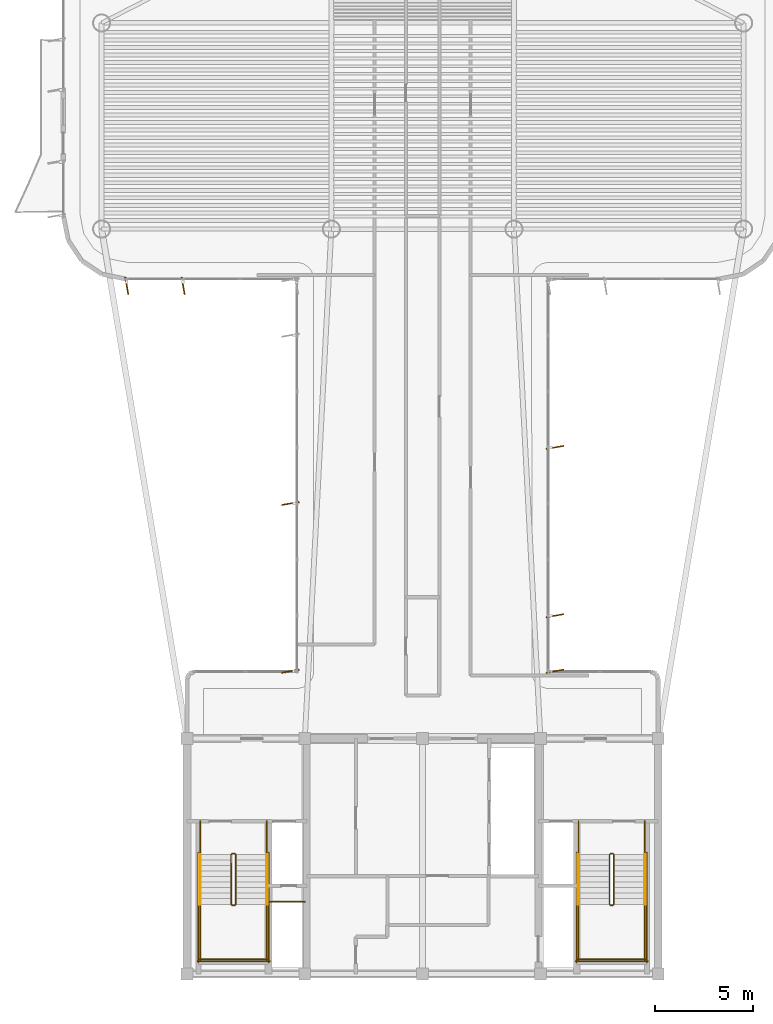
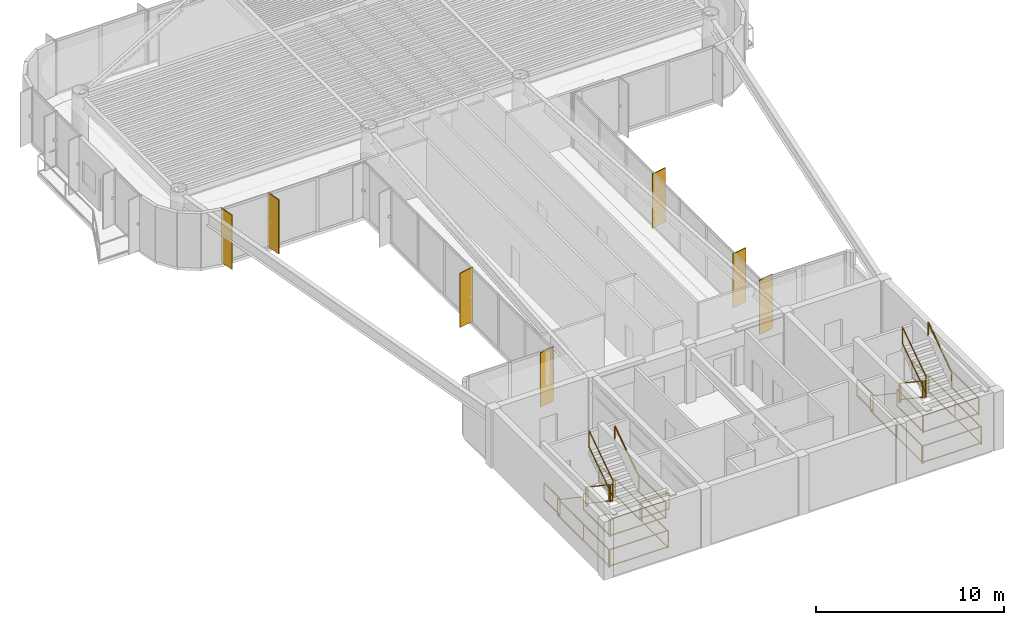
# One storey, part 13 of 14: 29 railings, 7 shading devices.
"""IFC4 building model written with IfcOpenShell, lengths in metres."""

import ifcopenshell
import ifcopenshell.guid

model = None  # the IFC model being written
_history = None  # IfcOwnerHistory: only IFC2X3 demands one
_inside = {}  # id of a spatial element -> (the spatial element, [elements in it])
_under = {}  # id of a project, library or spatial element -> (it, [spatial elements below it])
_declared = {}  # id of a project -> (the project, [libraries it declares])
_typed = {}  # id of a type object -> (the type object, [elements of that type])
_made_of = {}  # id of a material, layer set ... -> (it, [elements and type objects made of it])


def new_model(schema):
    """Start an empty IFC model of exactly this schema.

    Asked for "IFC4X3", IfcOpenShell would pick the latest addendum, in which some entities
    have other attributes; the version numbers below select the first issue.
    IFC2X3 requires an IfcOwnerHistory on every rooted entity: one is made here for all.
    """
    global model, _history
    if schema == "IFC4X3":
        model = ifcopenshell.file(schema_version=(4, 3, 0, 0))
    else:
        model = ifcopenshell.file(schema=schema)
    _inside.clear()
    _under.clear()
    _declared.clear()
    _typed.clear()
    _made_of.clear()
    _history = None
    if model.schema == "IFC2X3":
        org = make("IfcOrganization", Name="unknown")
        user = make(
            "IfcPersonAndOrganization",
            ThePerson=make("IfcPerson", FamilyName="unknown"),
            TheOrganization=org,
        )
        app = make(
            "IfcApplication",
            ApplicationDeveloper=org,
            Version="unknown",
            ApplicationFullName="unknown",
            ApplicationIdentifier="unknown",
        )
        _history = make(
            "IfcOwnerHistory",
            OwningUser=user,
            OwningApplication=app,
            ChangeAction="ADDED",
            CreationDate=0,
        )
    return model


def make(cls, **values):
    """One entity of the class cls with the attributes given. An attribute that is None is left unset."""
    return model.create_entity(
        cls, **{name: value for name, value in values.items() if value is not None}
    )


def rooted(cls, **values):
    """An entity with a GlobalId (a new one), such as an element, a storey or a relation."""
    return make(cls, GlobalId=ifcopenshell.guid.new(), OwnerHistory=_history, **values)


def si_unit(unit_type, name, prefix=None):
    """IfcSIUnit, for example si_unit("LENGTHUNIT", "METRE", prefix="MILLI")."""
    return make("IfcSIUnit", UnitType=unit_type, Prefix=prefix, Name=name)


def assignment(units):
    """IfcUnitAssignment: the units of a project."""
    return None if units is None else make("IfcUnitAssignment", Units=units)


def point(xyz):
    """IfcCartesianPoint."""
    return None if xyz is None else make("IfcCartesianPoint", Coordinates=xyz)


def direction(xyz):
    """IfcDirection."""
    return None if xyz is None else make("IfcDirection", DirectionRatios=xyz)


def frame(location, z_axis=None, x_axis=None):
    """IfcAxis2Placement3D, a coordinate frame: its origin and axes. An axis left out is left unset."""
    return make(
        "IfcAxis2Placement3D",
        Location=point(location),
        Axis=direction(z_axis),
        RefDirection=direction(x_axis),
    )


def frame_2d(location, x_axis=None):
    """IfcAxis2Placement2D, a coordinate frame in the plane: its origin and x axis."""
    return make(
        "IfcAxis2Placement2D", Location=point(location), RefDirection=direction(x_axis)
    )


def origin():
    """The frame at (0, 0, 0) with its axes left unset."""
    return frame((0.0, 0.0, 0.0))


def origin_2d():
    """The frame at (0, 0) in the plane with its x axis left unset."""
    return frame_2d((0.0, 0.0))


def place(relative_to, where):
    """IfcLocalPlacement: puts the frame where relative to a parent placement (None: the world)."""
    return make(
        "IfcLocalPlacement", PlacementRelTo=relative_to, RelativePlacement=where
    )


def context(
    kind, dimensions, precision=None, world=None, true_north=None, identifier=None
):
    """IfcGeometricRepresentationContext, for example the 3D "Model" context."""
    return make(
        "IfcGeometricRepresentationContext",
        ContextIdentifier=identifier,
        ContextType=kind,
        CoordinateSpaceDimension=dimensions,
        Precision=precision,
        WorldCoordinateSystem=world,
        TrueNorth=true_north,
    )


def subcontext(parent, identifier, kind, view, scale=None):
    """IfcGeometricRepresentationSubContext, for example "Body" below "Model"."""
    return make(
        "IfcGeometricRepresentationSubContext",
        ContextIdentifier=identifier,
        ContextType=kind,
        ParentContext=parent,
        TargetScale=scale,
        TargetView=view,
    )


def project(units=None, contexts=None):
    """IfcProject with its units and contexts."""
    return rooted(
        "IfcProject",
        Name="project",
        RepresentationContexts=contexts,
        UnitsInContext=assignment(units),
    )


def spatial(cls, under=None, at=None, **own):
    """A site, building, storey or space (cls), placed at a placement, below another one or the project."""
    s = rooted(cls, ObjectPlacement=at, **own)
    if under is not None:
        _under.setdefault(under.id(), (under, []))[1].append(s)
    return s


def profile(cls, at=None, kind="AREA", **sizes):
    """A parametric profile (cls). Its sizes go by their IFC names, for example OverallWidth=200.0."""
    return make(cls, ProfileType=kind, Position=at, **sizes)


def rectangle(**sizes):
    """IfcRectangleProfileDef."""
    return profile("IfcRectangleProfileDef", **sizes)


def extrude(swept, where, along, depth):
    """IfcExtrudedAreaSolid: the profile swept, set in the frame where, extruded along a direction by depth."""
    return make(
        "IfcExtrudedAreaSolid",
        SweptArea=swept,
        Position=where,
        ExtrudedDirection=direction(along),
        Depth=depth,
    )


def shape(context_of_items, identifier, shape_type, items):
    """IfcShapeRepresentation: the items that make up one representation, for example the "Body"."""
    return make(
        "IfcShapeRepresentation",
        ContextOfItems=context_of_items,
        RepresentationIdentifier=identifier,
        RepresentationType=shape_type,
        Items=items,
    )


def source(mapping_origin, context_of_items, identifier, shape_type, items):
    """IfcRepresentationMap: a shape defined once, which mapped items show again and again."""
    return make(
        "IfcRepresentationMap",
        MappingOrigin=mapping_origin,
        MappedRepresentation=shape(context_of_items, identifier, shape_type, items),
    )


def transform(
    local_origin,
    x_axis=None,
    y_axis=None,
    z_axis=None,
    scale=None,
    scale2=None,
    scale3=None,
    uniform=True,
):
    """IfcCartesianTransformationOperator3D, or its non-uniform kind. x_axis, y_axis, z_axis: its Axis1, 2, 3."""
    if uniform:
        return make(
            "IfcCartesianTransformationOperator3D",
            Axis1=direction(x_axis),
            Axis2=direction(y_axis),
            LocalOrigin=point(local_origin),
            Scale=scale,
            Axis3=direction(z_axis),
        )
    return make(
        "IfcCartesianTransformationOperator3DnonUniform",
        Axis1=direction(x_axis),
        Axis2=direction(y_axis),
        LocalOrigin=point(local_origin),
        Scale=scale,
        Axis3=direction(z_axis),
        Scale2=scale2,
        Scale3=scale3,
    )


def mapped(mapping_source, mapping_target):
    """IfcMappedItem: shows the shape of a source again, moved by a transform."""
    return make(
        "IfcMappedItem", MappingSource=mapping_source, MappingTarget=mapping_target
    )


def material(Name=None, Category=None):
    """IfcMaterial."""
    return make("IfcMaterial", Name=Name, Category=Category)


def layer(
    of_material, thickness, ventilated=None, Name=None, Category=None, Priority=None
):
    """IfcMaterialLayer: one layer of a wall or slab, of a material (None: an air gap)."""
    return make(
        "IfcMaterialLayer",
        Material=of_material,
        LayerThickness=thickness,
        IsVentilated=ventilated,
        Name=Name,
        Category=Category,
        Priority=Priority,
    )


def layer_set(layers, Name=None):
    """IfcMaterialLayerSet."""
    return make("IfcMaterialLayerSet", MaterialLayers=layers, LayerSetName=Name)


def material_profile(
    of_material, cross_section, Name=None, Category=None, Priority=None
):
    """IfcMaterialProfile: a cross section and its material."""
    return make(
        "IfcMaterialProfile",
        Name=Name,
        Material=of_material,
        Profile=cross_section,
        Priority=Priority,
        Category=Category,
    )


def profile_set(profiles, Name=None, composite=None):
    """IfcMaterialProfileSet."""
    return make(
        "IfcMaterialProfileSet",
        Name=Name,
        MaterialProfiles=profiles,
        CompositeProfile=composite,
    )


def made_of(thing, what):
    """Note that an element or type object is made of a material, layer set ...; save() writes the relation."""
    if what is not None:
        _made_of.setdefault(what.id(), (what, []))[1].append(thing)
    return thing


def type_object(cls, material=None, **own):
    """A type object (cls), such as IfcWallType, which elements share."""
    return made_of(rooted(cls, **own), material)


def element(
    cls,
    number,
    at=None,
    inside=None,
    cuts=None,
    type_object=None,
    material=None,
    context=None,
    identifier="Body",
    shape_type=None,
    held_by="IfcProductDefinitionShape",
    body=None,
    shapes=None,
    **own,
):
    """One element of the class cls, such as IfcWall. Its Tag is "e" and its number.

    at: its placement. inside: the storey or other place that contains it. cuts: it is an
    opening in that element (IfcRelVoidsElement). A single representation is given by context,
    identifier, shape_type and body (its items); several are given by shapes. held_by: the class
    of the entity that holds the representations. save() writes the other relations.
    """
    e = rooted(cls, Tag="e%d" % number, ObjectPlacement=at, **own)
    if body is not None:
        shapes = [shape(context, identifier, shape_type, body)]
    if shapes is not None:
        e.Representation = make(held_by, Representations=shapes)
    if inside is not None:
        _inside.setdefault(inside.id(), (inside, []))[1].append(e)
    if cuts is not None:
        rooted(
            "IfcRelVoidsElement", RelatingBuildingElement=cuts, RelatedOpeningElement=e
        )
    if type_object is not None:
        _typed.setdefault(type_object.id(), (type_object, []))[1].append(e)
    return made_of(e, material)


def aggregate(whole, parts):
    """IfcRelAggregates: a whole, such as a stair, and the parts it consists of."""
    return rooted("IfcRelAggregates", RelatingObject=whole, RelatedObjects=parts)


def save(model, path):
    """Write the relations noted so far, then the file.

    IfcRelAggregates (storeys below a building ...), IfcRelContainedInSpatialStructure (elements
    in a storey), IfcRelDefinesByType, IfcRelAssociatesMaterial and IfcRelDeclares: one each for
    every whole, place, type object, material and project.
    """
    for whole, parts in _under.values():
        aggregate(whole, parts)
    for where, things in _inside.values():
        rooted(
            "IfcRelContainedInSpatialStructure",
            RelatedElements=things,
            RelatingStructure=where,
        )
    for kind, things in _typed.values():
        rooted("IfcRelDefinesByType", RelatedObjects=things, RelatingType=kind)
    for what, things in _made_of.values():
        rooted("IfcRelAssociatesMaterial", RelatedObjects=things, RelatingMaterial=what)
    for by, libraries in _declared.values():
        rooted("IfcRelDeclares", RelatingContext=by, RelatedDefinitions=libraries)
    model.write(path)


model = new_model("IFC4")

# Units and contexts
model_context = context("Model", 3, precision=1e-05, world=origin(), true_north=direction((0.0, 1.0)))
body_context = subcontext(model_context, "Body", "Model", "MODEL_VIEW")
ifc_project = project(units=[si_unit("LENGTHUNIT", "METRE"), si_unit("AREAUNIT", "SQUARE_METRE"), si_unit("VOLUMEUNIT", "CUBIC_METRE"), si_unit("PLANEANGLEUNIT", "RADIAN"), si_unit("MASSUNIT", "GRAM", prefix="KILO")], contexts=[model_context])

# Site, building, storey
site_placement = place(None, origin())
site = spatial("IfcSite", under=ifc_project, at=site_placement, CompositionType="ELEMENT")
building_placement = place(site_placement, origin())
building = spatial("IfcBuilding", under=site, at=building_placement, Name="Brelvock Crest Care Tower", CompositionType="ELEMENT")
storey_placement = place(building_placement, frame((0.0, 0.0, 253.260009765625)))
storey = spatial("IfcBuildingStorey", under=building, at=storey_placement, Name="L64", CompositionType="ELEMENT", Elevation=253.260009765625)

# Railings
ifc_material_1 = material(Name="Steel Grade 350", Category="steel")
ifc_layer_1 = layer(ifc_material_1, 0.050048828125, Name="RL-STG1")
ifc_layer_set_1 = layer_set([ifc_layer_1], Name="Steel Grade 350")
railing_type_1 = type_object("IfcRailingType", Name="RL-STG1", PredefinedType="GUARDRAIL", material=ifc_layer_set_1)
railing_1_placement = place(storey_placement, frame((26.260009765625, 12.080078125, 0.18896484375)))
element("IfcRailing", 1, at=railing_1_placement, inside=storey, type_object=railing_type_1, Name="L64 ST-1 stair guard 1", PredefinedType="GUARDRAIL", context=body_context, shape_type="SweptSolid", body=[
    extrude(rectangle(XDim=0.048095703125, YDim=0.048095703125, at=origin_2d()), frame((0.0, -0.001708984375, 1.116943359375), z_axis=(0.0, -0.828861706735, 0.559453546873), x_axis=(1.0, 0.0, 0.0)), (0.0, 0.0, 1.0), 3.036376953125),
    extrude(rectangle(XDim=0.048095703125, YDim=0.048095703125, at=origin_2d()), frame((0.0, -0.001708984375, 0.05615234375), z_axis=(0.0, -0.828861706735, 0.559453546873), x_axis=(1.0, 0.0, 0.0)), (0.0, 0.0, 1.0), 3.036376953125),
    extrude(rectangle(XDim=0.0419921875, YDim=0.0419921875, at=origin_2d()), origin(), (0.0, 0.0, 1.0), 1.08984375),
    extrude(rectangle(XDim=0.0419921875, YDim=0.0419921875, at=origin_2d()), frame((0.0, -2.52001953125, 1.700927734375)), (0.0, 0.0, 1.0), 1.08984375),
])
railing_2_placement = place(storey_placement, frame((26.31005859375, 9.510009765625, 1.889892578125)))
element("IfcRailing", 2, at=railing_2_placement, inside=storey, type_object=railing_type_1, Name="L64 ST-1 stair guard 2", PredefinedType="GUARDRAIL", context=body_context, shape_type="SweptSolid", body=[
    extrude(rectangle(XDim=0.048095703125, YDim=0.048095703125, at=origin_2d()), frame((0.001953125, 0.0, 1.11572265625), z_axis=(1.0, 0.0, 0.0), x_axis=(0.0, 1.0, 0.0)), (0.0, 0.0, 1.0), 0.115966796875),
    extrude(rectangle(XDim=0.048095703125, YDim=0.048095703125, at=origin_2d()), frame((0.001953125, 0.0, 0.054931640625), z_axis=(1.0, 0.0, 0.0), x_axis=(0.0, 1.0, 0.0)), (0.0, 0.0, 1.0), 0.115966796875),
    extrude(rectangle(XDim=0.0419921875, YDim=0.0419921875, at=origin_2d()), origin(), (0.0, 0.0, 1.0), 1.08984375),
    extrude(rectangle(XDim=0.0419921875, YDim=0.0419921875, at=origin_2d()), frame((0.119873046875, 0.0, 0.0)), (0.0, 0.0, 1.0), 1.08984375),
])
for number, where, name in (
    (3, (24.679931640625, 9.56005859375, 1.889892578125), "L64 ST-1 stair guard 3"),
    (4, (28.06005859375, 9.56005859375, 1.889892578125), "L64 ST-1 stair guard 4"),
):
    element("IfcRailing", number, at=place(storey_placement, frame(where)), inside=storey, type_object=railing_type_1, Name=name, PredefinedType="GUARDRAIL", context=body_context, shape_type="SweptSolid", body=[
        extrude(rectangle(XDim=0.048095703125, YDim=0.048095703125, at=origin_2d()), frame((0.0, -0.001953125, 1.11572265625), z_axis=(0.0, -1.0, 0.0), x_axis=(1.0, 0.0, 0.0)), (0.0, 0.0, 1.0), 2.856201171875),
        extrude(rectangle(XDim=0.048095703125, YDim=0.048095703125, at=origin_2d()), frame((0.0, -0.001953125, 0.054931640625), z_axis=(0.0, -1.0, 0.0), x_axis=(1.0, 0.0, 0.0)), (0.0, 0.0, 1.0), 2.856201171875),
        extrude(rectangle(XDim=0.0419921875, YDim=0.0419921875, at=origin_2d()), origin(), (0.0, 0.0, 1.0), 1.08984375),
        extrude(rectangle(XDim=0.0419921875, YDim=0.0419921875, at=origin_2d()), frame((0.0, -2.860107421875, 0.0)), (0.0, 0.0, 1.0), 1.08984375),
    ])
railing_3_placement = place(storey_placement, frame((24.6298828125, 6.75, 1.889892578125)))
element("IfcRailing", 5, at=railing_3_placement, inside=storey, type_object=railing_type_1, Name="L64 ST-1 stair guard 5", PredefinedType="GUARDRAIL", context=body_context, shape_type="SweptSolid", body=[
    extrude(rectangle(XDim=0.048095703125, YDim=0.048095703125, at=origin_2d()), frame((0.001953125, 0.0, 1.11572265625), z_axis=(1.0, 0.0, 0.0), x_axis=(0.0, 1.0, 0.0)), (0.0, 0.0, 1.0), 3.476318359375),
    extrude(rectangle(XDim=0.048095703125, YDim=0.048095703125, at=origin_2d()), frame((0.001953125, 0.0, 0.054931640625), z_axis=(1.0, 0.0, 0.0), x_axis=(0.0, 1.0, 0.0)), (0.0, 0.0, 1.0), 3.476318359375),
    extrude(rectangle(XDim=0.0419921875, YDim=0.0419921875, at=origin_2d()), origin(), (0.0, 0.0, 1.0), 1.08984375),
    extrude(rectangle(XDim=0.0419921875, YDim=0.0419921875, at=origin_2d()), frame((3.480224609375, 0.0, 0.0)), (0.0, 0.0, 1.0), 1.08984375),
])
railing_4_placement = place(storey_placement, frame((26.47998046875, 9.56005859375, 2.0791015625)))
element("IfcRailing", 6, at=railing_4_placement, inside=storey, type_object=railing_type_1, Name="L64 ST-1 stair guard 6", PredefinedType="GUARDRAIL", context=body_context, shape_type="SweptSolid", body=[
    extrude(rectangle(XDim=0.048095703125, YDim=0.048095703125, at=origin_2d()), frame((0.0, 0.001708984375, 1.116943359375), z_axis=(0.0, 0.828861706735, 0.559453546873), x_axis=(-1.0, 0.0, 0.0)), (0.0, 0.0, 1.0), 3.036376953125),
    extrude(rectangle(XDim=0.048095703125, YDim=0.048095703125, at=origin_2d()), frame((0.0, 0.001708984375, 0.05615234375), z_axis=(0.0, 0.828861706735, 0.559453546873), x_axis=(-1.0, 0.0, 0.0)), (0.0, 0.0, 1.0), 3.036376953125),
    extrude(rectangle(XDim=0.0419921875, YDim=0.0419921875, at=origin_2d()), origin(), (0.0, 0.0, 1.0), 1.08984375),
    extrude(rectangle(XDim=0.0419921875, YDim=0.0419921875, at=origin_2d()), frame((0.0, 2.52001953125, 1.700927734375)), (0.0, 0.0, 1.0), 1.08984375),
])
railing_5_placement = place(storey_placement, frame((26.31005859375, 12.1298828125, 0.0)))
element("IfcRailing", 7, at=railing_5_placement, inside=storey, type_object=railing_type_1, Name="L64 ST-1 stair guard 7", PredefinedType="GUARDRAIL", context=body_context, shape_type="SweptSolid", body=[
    extrude(rectangle(XDim=0.048095703125, YDim=0.048095703125, at=origin_2d()), frame((0.001953125, 0.0, 1.11572265625), z_axis=(1.0, 0.0, 0.0), x_axis=(0.0, 1.0, 0.0)), (0.0, 0.0, 1.0), 0.115966796875),
    extrude(rectangle(XDim=0.048095703125, YDim=0.048095703125, at=origin_2d()), frame((0.001953125, 0.0, 0.054931640625), z_axis=(1.0, 0.0, 0.0), x_axis=(0.0, 1.0, 0.0)), (0.0, 0.0, 1.0), 0.115966796875),
    extrude(rectangle(XDim=0.0419921875, YDim=0.0419921875, at=origin_2d()), origin(), (0.0, 0.0, 1.0), 1.08984375),
    extrude(rectangle(XDim=0.0419921875, YDim=0.0419921875, at=origin_2d()), frame((0.119873046875, 0.0, 0.0)), (0.0, 0.0, 1.0), 1.08984375),
])
for number, where, name in (
    (8, (24.679931640625, 13.780029296875, 0.0), "L64 ST-1 stair guard 8"),
    (9, (28.06005859375, 13.780029296875, 0.0), "L64 ST-1 stair guard 9"),
):
    element("IfcRailing", number, at=place(storey_placement, frame(where)), inside=storey, type_object=railing_type_1, Name=name, PredefinedType="GUARDRAIL", context=body_context, shape_type="SweptSolid", body=[
        extrude(rectangle(XDim=0.048095703125, YDim=0.048095703125, at=origin_2d()), frame((0.0, -0.001953125, 1.11572265625), z_axis=(0.0, -1.0, 0.0), x_axis=(1.0, 0.0, 0.0)), (0.0, 0.0, 1.0), 1.696044921875),
        extrude(rectangle(XDim=0.048095703125, YDim=0.048095703125, at=origin_2d()), frame((0.0, -0.001953125, 0.054931640625), z_axis=(0.0, -1.0, 0.0), x_axis=(1.0, 0.0, 0.0)), (0.0, 0.0, 1.0), 1.696044921875),
        extrude(rectangle(XDim=0.0419921875, YDim=0.0419921875, at=origin_2d()), origin(), (0.0, 0.0, 1.0), 1.08984375),
        extrude(rectangle(XDim=0.0419921875, YDim=0.0419921875, at=origin_2d()), frame((0.0, -1.699951171875, 0.0)), (0.0, 0.0, 1.0), 1.08984375),
    ])
for number, where, name in (
    (10, (24.580078125, 12.179931640625, 0.0), "L64 ST-1 stair guard 10"),
    (11, (28.159912109375, 12.179931640625, 0.0), "L64 ST-1 stair guard 11"),
):
    element("IfcRailing", number, at=place(storey_placement, frame(where)), inside=storey, type_object=railing_type_1, Name=name, PredefinedType="GUARDRAIL", context=body_context, shape_type="SweptSolid", body=[
        extrude(rectangle(XDim=0.048095703125, YDim=0.048095703125, at=origin_2d()), frame((0.0, -0.001953125, 1.11572265625), z_axis=(0.0, -1.0, 0.0), x_axis=(1.0, 0.0, 0.0)), (0.0, 0.0, 1.0), 5.575927734375),
        extrude(rectangle(XDim=0.048095703125, YDim=0.048095703125, at=origin_2d()), frame((0.0, -0.001953125, 0.054931640625), z_axis=(0.0, -1.0, 0.0), x_axis=(1.0, 0.0, 0.0)), (0.0, 0.0, 1.0), 5.575927734375),
        extrude(rectangle(XDim=0.0419921875, YDim=0.0419921875, at=origin_2d()), origin(), (0.0, 0.0, 1.0), 1.08984375),
        extrude(rectangle(XDim=0.0419921875, YDim=0.0419921875, at=origin_2d()), frame((0.0, -2.7900390625, 0.0)), (0.0, 0.0, 1.0), 1.08984375),
        extrude(rectangle(XDim=0.0419921875, YDim=0.0419921875, at=origin_2d()), frame((0.0, -5.579833984375, 0.0)), (0.0, 0.0, 1.0), 1.08984375),
    ])
railing_6_placement = place(storey_placement, frame((24.530029296875, 6.64990234375, 0.0)))
element("IfcRailing", 12, at=railing_6_placement, inside=storey, type_object=railing_type_1, Name="L64 ST-1 stair guard 12", PredefinedType="GUARDRAIL", context=body_context, shape_type="SweptSolid", body=[
    extrude(rectangle(XDim=0.048095703125, YDim=0.048095703125, at=origin_2d()), frame((0.001953125, 0.0, 1.11572265625), z_axis=(1.0, 0.0, 0.0), x_axis=(0.0, 1.0, 0.0)), (0.0, 0.0, 1.0), 3.676025390625),
    extrude(rectangle(XDim=0.048095703125, YDim=0.048095703125, at=origin_2d()), frame((0.001953125, 0.0, 0.054931640625), z_axis=(1.0, 0.0, 0.0), x_axis=(0.0, 1.0, 0.0)), (0.0, 0.0, 1.0), 3.676025390625),
    extrude(rectangle(XDim=0.0419921875, YDim=0.0419921875, at=origin_2d()), origin(), (0.0, 0.0, 1.0), 1.08984375),
    extrude(rectangle(XDim=0.0419921875, YDim=0.0419921875, at=origin_2d()), frame((3.679931640625, 0.0, 0.0)), (0.0, 0.0, 1.0), 1.08984375),
])
railing_7_placement = place(storey_placement, frame((45.52001953125, 12.080078125, 0.18896484375)))
element("IfcRailing", 13, at=railing_7_placement, inside=storey, type_object=railing_type_1, Name="L64 ST-2 stair guard 1", PredefinedType="GUARDRAIL", context=body_context, shape_type="SweptSolid", body=[
    extrude(rectangle(XDim=0.048095703125, YDim=0.048095703125, at=origin_2d()), frame((0.0, -0.001708984375, 1.116943359375), z_axis=(0.0, -0.828861706735, 0.559453546873), x_axis=(1.0, 0.0, 0.0)), (0.0, 0.0, 1.0), 3.036376953125),
    extrude(rectangle(XDim=0.048095703125, YDim=0.048095703125, at=origin_2d()), frame((0.0, -0.001708984375, 0.05615234375), z_axis=(0.0, -0.828861706735, 0.559453546873), x_axis=(1.0, 0.0, 0.0)), (0.0, 0.0, 1.0), 3.036376953125),
    extrude(rectangle(XDim=0.0419921875, YDim=0.0419921875, at=origin_2d()), origin(), (0.0, 0.0, 1.0), 1.08984375),
    extrude(rectangle(XDim=0.0419921875, YDim=0.0419921875, at=origin_2d()), frame((0.0, -2.52001953125, 1.700927734375)), (0.0, 0.0, 1.0), 1.08984375),
])
railing_8_placement = place(storey_placement, frame((45.570068359375, 9.510009765625, 1.889892578125)))
element("IfcRailing", 14, at=railing_8_placement, inside=storey, type_object=railing_type_1, Name="L64 ST-2 stair guard 2", PredefinedType="GUARDRAIL", context=body_context, shape_type="SweptSolid", body=[
    extrude(rectangle(XDim=0.048095703125, YDim=0.048095703125, at=origin_2d()), frame((0.001953125, 0.0, 1.11572265625), z_axis=(1.0, 0.0, 0.0), x_axis=(0.0, 1.0, 0.0)), (0.0, 0.0, 1.0), 0.115966796875),
    extrude(rectangle(XDim=0.048095703125, YDim=0.048095703125, at=origin_2d()), frame((0.001953125, 0.0, 0.054931640625), z_axis=(1.0, 0.0, 0.0), x_axis=(0.0, 1.0, 0.0)), (0.0, 0.0, 1.0), 0.115966796875),
    extrude(rectangle(XDim=0.0419921875, YDim=0.0419921875, at=origin_2d()), origin(), (0.0, 0.0, 1.0), 1.08984375),
    extrude(rectangle(XDim=0.0419921875, YDim=0.0419921875, at=origin_2d()), frame((0.119873046875, 0.0, 0.0)), (0.0, 0.0, 1.0), 1.08984375),
])
for number, where, name in (
    (15, (43.93994140625, 9.56005859375, 1.889892578125), "L64 ST-2 stair guard 3"),
    (16, (47.320068359375, 9.56005859375, 1.889892578125), "L64 ST-2 stair guard 4"),
):
    element("IfcRailing", number, at=place(storey_placement, frame(where)), inside=storey, type_object=railing_type_1, Name=name, PredefinedType="GUARDRAIL", context=body_context, shape_type="SweptSolid", body=[
        extrude(rectangle(XDim=0.048095703125, YDim=0.048095703125, at=origin_2d()), frame((0.0, -0.001953125, 1.11572265625), z_axis=(0.0, -1.0, 0.0), x_axis=(1.0, 0.0, 0.0)), (0.0, 0.0, 1.0), 2.856201171875),
        extrude(rectangle(XDim=0.048095703125, YDim=0.048095703125, at=origin_2d()), frame((0.0, -0.001953125, 0.054931640625), z_axis=(0.0, -1.0, 0.0), x_axis=(1.0, 0.0, 0.0)), (0.0, 0.0, 1.0), 2.856201171875),
        extrude(rectangle(XDim=0.0419921875, YDim=0.0419921875, at=origin_2d()), origin(), (0.0, 0.0, 1.0), 1.08984375),
        extrude(rectangle(XDim=0.0419921875, YDim=0.0419921875, at=origin_2d()), frame((0.0, -2.860107421875, 0.0)), (0.0, 0.0, 1.0), 1.08984375),
    ])
railing_9_placement = place(storey_placement, frame((43.889892578125, 6.75, 1.889892578125)))
element("IfcRailing", 17, at=railing_9_placement, inside=storey, type_object=railing_type_1, Name="L64 ST-2 stair guard 5", PredefinedType="GUARDRAIL", context=body_context, shape_type="SweptSolid", body=[
    extrude(rectangle(XDim=0.048095703125, YDim=0.048095703125, at=origin_2d()), frame((0.001953125, 0.0, 1.11572265625), z_axis=(1.0, 0.0, 0.0), x_axis=(0.0, 1.0, 0.0)), (0.0, 0.0, 1.0), 3.476318359375),
    extrude(rectangle(XDim=0.048095703125, YDim=0.048095703125, at=origin_2d()), frame((0.001953125, 0.0, 0.054931640625), z_axis=(1.0, 0.0, 0.0), x_axis=(0.0, 1.0, 0.0)), (0.0, 0.0, 1.0), 3.476318359375),
    extrude(rectangle(XDim=0.0419921875, YDim=0.0419921875, at=origin_2d()), origin(), (0.0, 0.0, 1.0), 1.08984375),
    extrude(rectangle(XDim=0.0419921875, YDim=0.0419921875, at=origin_2d()), frame((3.480224609375, 0.0, 0.0)), (0.0, 0.0, 1.0), 1.08984375),
])
railing_10_placement = place(storey_placement, frame((45.739990234375, 9.56005859375, 2.0791015625)))
element("IfcRailing", 18, at=railing_10_placement, inside=storey, type_object=railing_type_1, Name="L64 ST-2 stair guard 6", PredefinedType="GUARDRAIL", context=body_context, shape_type="SweptSolid", body=[
    extrude(rectangle(XDim=0.048095703125, YDim=0.048095703125, at=origin_2d()), frame((0.0, 0.001708984375, 1.116943359375), z_axis=(0.0, 0.828861706735, 0.559453546873), x_axis=(-1.0, 0.0, 0.0)), (0.0, 0.0, 1.0), 3.036376953125),
    extrude(rectangle(XDim=0.048095703125, YDim=0.048095703125, at=origin_2d()), frame((0.0, 0.001708984375, 0.05615234375), z_axis=(0.0, 0.828861706735, 0.559453546873), x_axis=(-1.0, 0.0, 0.0)), (0.0, 0.0, 1.0), 3.036376953125),
    extrude(rectangle(XDim=0.0419921875, YDim=0.0419921875, at=origin_2d()), origin(), (0.0, 0.0, 1.0), 1.08984375),
    extrude(rectangle(XDim=0.0419921875, YDim=0.0419921875, at=origin_2d()), frame((0.0, 2.52001953125, 1.700927734375)), (0.0, 0.0, 1.0), 1.08984375),
])
railing_11_placement = place(storey_placement, frame((45.570068359375, 12.1298828125, 0.0)))
element("IfcRailing", 19, at=railing_11_placement, inside=storey, type_object=railing_type_1, Name="L64 ST-2 stair guard 7", PredefinedType="GUARDRAIL", context=body_context, shape_type="SweptSolid", body=[
    extrude(rectangle(XDim=0.048095703125, YDim=0.048095703125, at=origin_2d()), frame((0.001953125, 0.0, 1.11572265625), z_axis=(1.0, 0.0, 0.0), x_axis=(0.0, 1.0, 0.0)), (0.0, 0.0, 1.0), 0.115966796875),
    extrude(rectangle(XDim=0.048095703125, YDim=0.048095703125, at=origin_2d()), frame((0.001953125, 0.0, 0.054931640625), z_axis=(1.0, 0.0, 0.0), x_axis=(0.0, 1.0, 0.0)), (0.0, 0.0, 1.0), 0.115966796875),
    extrude(rectangle(XDim=0.0419921875, YDim=0.0419921875, at=origin_2d()), origin(), (0.0, 0.0, 1.0), 1.08984375),
    extrude(rectangle(XDim=0.0419921875, YDim=0.0419921875, at=origin_2d()), frame((0.119873046875, 0.0, 0.0)), (0.0, 0.0, 1.0), 1.08984375),
])
for number, where, name in (
    (20, (43.93994140625, 13.780029296875, 0.0), "L64 ST-2 stair guard 8"),
    (21, (47.320068359375, 13.780029296875, 0.0), "L64 ST-2 stair guard 9"),
):
    element("IfcRailing", number, at=place(storey_placement, frame(where)), inside=storey, type_object=railing_type_1, Name=name, PredefinedType="GUARDRAIL", context=body_context, shape_type="SweptSolid", body=[
        extrude(rectangle(XDim=0.048095703125, YDim=0.048095703125, at=origin_2d()), frame((0.0, -0.001953125, 1.11572265625), z_axis=(0.0, -1.0, 0.0), x_axis=(1.0, 0.0, 0.0)), (0.0, 0.0, 1.0), 1.696044921875),
        extrude(rectangle(XDim=0.048095703125, YDim=0.048095703125, at=origin_2d()), frame((0.0, -0.001953125, 0.054931640625), z_axis=(0.0, -1.0, 0.0), x_axis=(1.0, 0.0, 0.0)), (0.0, 0.0, 1.0), 1.696044921875),
        extrude(rectangle(XDim=0.0419921875, YDim=0.0419921875, at=origin_2d()), origin(), (0.0, 0.0, 1.0), 1.08984375),
        extrude(rectangle(XDim=0.0419921875, YDim=0.0419921875, at=origin_2d()), frame((0.0, -1.699951171875, 0.0)), (0.0, 0.0, 1.0), 1.08984375),
    ])
for number, where, name in (
    (22, (43.840087890625, 12.179931640625, 0.0), "L64 ST-2 stair guard 10"),
    (23, (47.419921875, 12.179931640625, 0.0), "L64 ST-2 stair guard 11"),
):
    element("IfcRailing", number, at=place(storey_placement, frame(where)), inside=storey, type_object=railing_type_1, Name=name, PredefinedType="GUARDRAIL", context=body_context, shape_type="SweptSolid", body=[
        extrude(rectangle(XDim=0.048095703125, YDim=0.048095703125, at=origin_2d()), frame((0.0, -0.001953125, 1.11572265625), z_axis=(0.0, -1.0, 0.0), x_axis=(1.0, 0.0, 0.0)), (0.0, 0.0, 1.0), 5.575927734375),
        extrude(rectangle(XDim=0.048095703125, YDim=0.048095703125, at=origin_2d()), frame((0.0, -0.001953125, 0.054931640625), z_axis=(0.0, -1.0, 0.0), x_axis=(1.0, 0.0, 0.0)), (0.0, 0.0, 1.0), 5.575927734375),
        extrude(rectangle(XDim=0.0419921875, YDim=0.0419921875, at=origin_2d()), origin(), (0.0, 0.0, 1.0), 1.08984375),
        extrude(rectangle(XDim=0.0419921875, YDim=0.0419921875, at=origin_2d()), frame((0.0, -2.7900390625, 0.0)), (0.0, 0.0, 1.0), 1.08984375),
        extrude(rectangle(XDim=0.0419921875, YDim=0.0419921875, at=origin_2d()), frame((0.0, -5.579833984375, 0.0)), (0.0, 0.0, 1.0), 1.08984375),
    ])
railing_12_placement = place(storey_placement, frame((43.7900390625, 6.64990234375, 0.0)))
element("IfcRailing", 24, at=railing_12_placement, inside=storey, type_object=railing_type_1, Name="L64 ST-2 stair guard 12", PredefinedType="GUARDRAIL", context=body_context, shape_type="SweptSolid", body=[
    extrude(rectangle(XDim=0.048095703125, YDim=0.048095703125, at=origin_2d()), frame((0.001953125, 0.0, 1.11572265625), z_axis=(1.0, 0.0, 0.0), x_axis=(0.0, 1.0, 0.0)), (0.0, 0.0, 1.0), 3.676025390625),
    extrude(rectangle(XDim=0.048095703125, YDim=0.048095703125, at=origin_2d()), frame((0.001953125, 0.0, 0.054931640625), z_axis=(1.0, 0.0, 0.0), x_axis=(0.0, 1.0, 0.0)), (0.0, 0.0, 1.0), 3.676025390625),
    extrude(rectangle(XDim=0.0419921875, YDim=0.0419921875, at=origin_2d()), origin(), (0.0, 0.0, 1.0), 1.08984375),
    extrude(rectangle(XDim=0.0419921875, YDim=0.0419921875, at=origin_2d()), frame((3.679931640625, 0.0, 0.0)), (0.0, 0.0, 1.0), 1.08984375),
])
railing_13_placement = place(storey_placement, frame((28.219970703125, 9.679931640625, 0.0)))
element("IfcRailing", 25, at=railing_13_placement, inside=storey, type_object=railing_type_1, Name="L64 Fire Riser Threshold Guard", PredefinedType="GUARDRAIL", context=body_context, shape_type="SweptSolid", body=[
    extrude(rectangle(XDim=0.048095703125, YDim=0.048095703125, at=origin_2d()), frame((0.001953125, 0.0, 1.11572265625), z_axis=(1.0, 0.0, 0.0), x_axis=(0.0, 1.0, 0.0)), (0.0, 0.0, 1.0), 1.776123046875),
    extrude(rectangle(XDim=0.048095703125, YDim=0.048095703125, at=origin_2d()), frame((0.001953125, 0.0, 0.054931640625), z_axis=(1.0, 0.0, 0.0), x_axis=(0.0, 1.0, 0.0)), (0.0, 0.0, 1.0), 1.776123046875),
    extrude(rectangle(XDim=0.0419921875, YDim=0.0419921875, at=origin_2d()), origin(), (0.0, 0.0, 1.0), 1.08984375),
    extrude(rectangle(XDim=0.0419921875, YDim=0.0419921875, at=origin_2d()), frame((1.780029296875, 0.0, 0.0)), (0.0, 0.0, 1.0), 1.08984375),
])
ifc_layer_2 = layer(ifc_material_1, 0.048095703125, Name="RL-STH1")
ifc_layer_set_2 = layer_set([ifc_layer_2], Name="Steel Grade 350")
railing_type_2 = type_object("IfcRailingType", Name="RL-STH1", PredefinedType="HANDRAIL", material=ifc_layer_set_2)
railing_14_placement = place(storey_placement, frame((24.679931640625, 12.080078125, 0.18896484375)))
element("IfcRailing", 26, at=railing_14_placement, inside=storey, type_object=railing_type_2, Name="L64 ST-1 stair handrail 1", PredefinedType="HANDRAIL", context=body_context, shape_type="SweptSolid", body=[
    extrude(rectangle(XDim=0.048095703125, YDim=0.048095703125, at=origin_2d()), frame((0.0, -0.001708984375, 0.876953125), z_axis=(0.0, -0.828861706735, 0.559453546873), x_axis=(1.0, 0.0, 0.0)), (0.0, 0.0, 1.0), 3.036376953125),
    extrude(rectangle(XDim=0.0419921875, YDim=0.0419921875, at=origin_2d()), origin(), (0.0, 0.0, 1.0), 0.849853515625),
    extrude(rectangle(XDim=0.0419921875, YDim=0.0419921875, at=origin_2d()), frame((0.0, -2.52001953125, 1.700927734375)), (0.0, 0.0, 1.0), 0.849853515625),
])
railing_15_placement = place(storey_placement, frame((28.06005859375, 9.56005859375, 2.0791015625)))
element("IfcRailing", 27, at=railing_15_placement, inside=storey, type_object=railing_type_2, Name="L64 ST-1 stair handrail 2", PredefinedType="HANDRAIL", context=body_context, shape_type="SweptSolid", body=[
    extrude(rectangle(XDim=0.048095703125, YDim=0.048095703125, at=origin_2d()), frame((0.0, 0.001708984375, 0.876953125), z_axis=(0.0, 0.828861706735, 0.559453546873), x_axis=(-1.0, 0.0, 0.0)), (0.0, 0.0, 1.0), 3.036376953125),
    extrude(rectangle(XDim=0.0419921875, YDim=0.0419921875, at=origin_2d()), origin(), (0.0, 0.0, 1.0), 0.849853515625),
    extrude(rectangle(XDim=0.0419921875, YDim=0.0419921875, at=origin_2d()), frame((0.0, 2.52001953125, 1.700927734375)), (0.0, 0.0, 1.0), 0.849853515625),
])
railing_16_placement = place(storey_placement, frame((43.93994140625, 12.080078125, 0.18896484375)))
element("IfcRailing", 28, at=railing_16_placement, inside=storey, type_object=railing_type_2, Name="L64 ST-2 stair handrail 1", PredefinedType="HANDRAIL", context=body_context, shape_type="SweptSolid", body=[
    extrude(rectangle(XDim=0.048095703125, YDim=0.048095703125, at=origin_2d()), frame((0.0, -0.001708984375, 0.876953125), z_axis=(0.0, -0.828861706735, 0.559453546873), x_axis=(1.0, 0.0, 0.0)), (0.0, 0.0, 1.0), 3.036376953125),
    extrude(rectangle(XDim=0.0419921875, YDim=0.0419921875, at=origin_2d()), origin(), (0.0, 0.0, 1.0), 0.849853515625),
    extrude(rectangle(XDim=0.0419921875, YDim=0.0419921875, at=origin_2d()), frame((0.0, -2.52001953125, 1.700927734375)), (0.0, 0.0, 1.0), 0.849853515625),
])
railing_17_placement = place(storey_placement, frame((47.320068359375, 9.56005859375, 2.0791015625)))
element("IfcRailing", 29, at=railing_17_placement, inside=storey, type_object=railing_type_2, Name="L64 ST-2 stair handrail 2", PredefinedType="HANDRAIL", context=body_context, shape_type="SweptSolid", body=[
    extrude(rectangle(XDim=0.048095703125, YDim=0.048095703125, at=origin_2d()), frame((0.0, 0.001708984375, 0.876953125), z_axis=(0.0, 0.828861706735, 0.559453546873), x_axis=(-1.0, 0.0, 0.0)), (0.0, 0.0, 1.0), 3.036376953125),
    extrude(rectangle(XDim=0.0419921875, YDim=0.0419921875, at=origin_2d()), origin(), (0.0, 0.0, 1.0), 0.849853515625),
    extrude(rectangle(XDim=0.0419921875, YDim=0.0419921875, at=origin_2d()), frame((0.0, 2.52001953125, 1.700927734375)), (0.0, 0.0, 1.0), 0.849853515625),
])

# Shading devices
ifc_material_2 = material(Name="Aluminium 6063-T6", Category="aluminium")
ifc_material_profile = material_profile(ifc_material_2, rectangle(XDim=0.054931640625, YDim=0.89990234375, at=origin_2d()), Name="FIN55x900")
ifc_profile_set = profile_set([ifc_material_profile], Name="Aluminium 6063-T6")
shading_device_type = type_object("IfcShadingDeviceType", Name="SHD-FIN1", PredefinedType="USERDEFINED", material=ifc_profile_set)
shared_shape = source(origin(), body_context, "Body", "SweptSolid", [
    extrude(rectangle(XDim=0.054931640625, YDim=0.89990234375, at=origin_2d()), origin(), (0.0, 0.0, 1.0), 3.530029296875),
])
for number, where, z_axis, x_axis, name in (
    (30, (29.260009765625, 21.429931640625, 0.0), (0.0, 0.0, 1.0), (-0.173648177667, 0.984807753012, 0.0), "L64 Vertical Sunshade Fin E11-01"),
    (31, (29.260009765625, 29.971435546875, 0.0), (0.0, 0.0, 1.0), (-0.173648177667, 0.984807753012, 0.0), "L64 Vertical Sunshade Fin E11-04"),
    (32, (23.800048828125, 41.06005859375, 0.0), (0.0, 0.0, 1.0), (-0.984807753012, -0.173648177667, 0.0), "L64 Vertical Sunshade Fin E12-03"),
    (33, (20.929931640625, 41.06005859375, 0.0), (0.0, 0.0, 1.0), (-0.984807753012, -0.173648177667, 0.0), "L64 Vertical Sunshade Fin E12-04"),
    (34, (42.739990234375, 32.82861328125, 0.0), (0.0, 0.0, 1.0), (0.173648177667, -0.984807753012, 0.0), "L64 Vertical Sunshade Fin E45-04"),
    (35, (42.739990234375, 24.257080078125, 0.0), (0.0, 0.0, 1.0), (0.173648177667, -0.984807753012, 0.0), "L64 Vertical Sunshade Fin E45-07"),
    (36, (42.739990234375, 21.429931640625, 0.0), (0.0, 0.0, 1.0), (0.173648177667, -0.984807753012, 0.0), "L64 Vertical Sunshade Fin E45-08"),
):
    element("IfcShadingDevice", number, at=place(storey_placement, frame(where, z_axis=z_axis, x_axis=x_axis)), inside=storey, type_object=shading_device_type, Name=name, ObjectType="FIN", PredefinedType="USERDEFINED", context=body_context, shape_type="MappedRepresentation", body=[
        mapped(shared_shape, transform((0.0, 0.0, 0.0), x_axis=(1.0, 0.0, 0.0), y_axis=(0.0, 1.0, 0.0), z_axis=(0.0, 0.0, 1.0), scale=1.0)),
    ])

save(model, "model.ifc")
